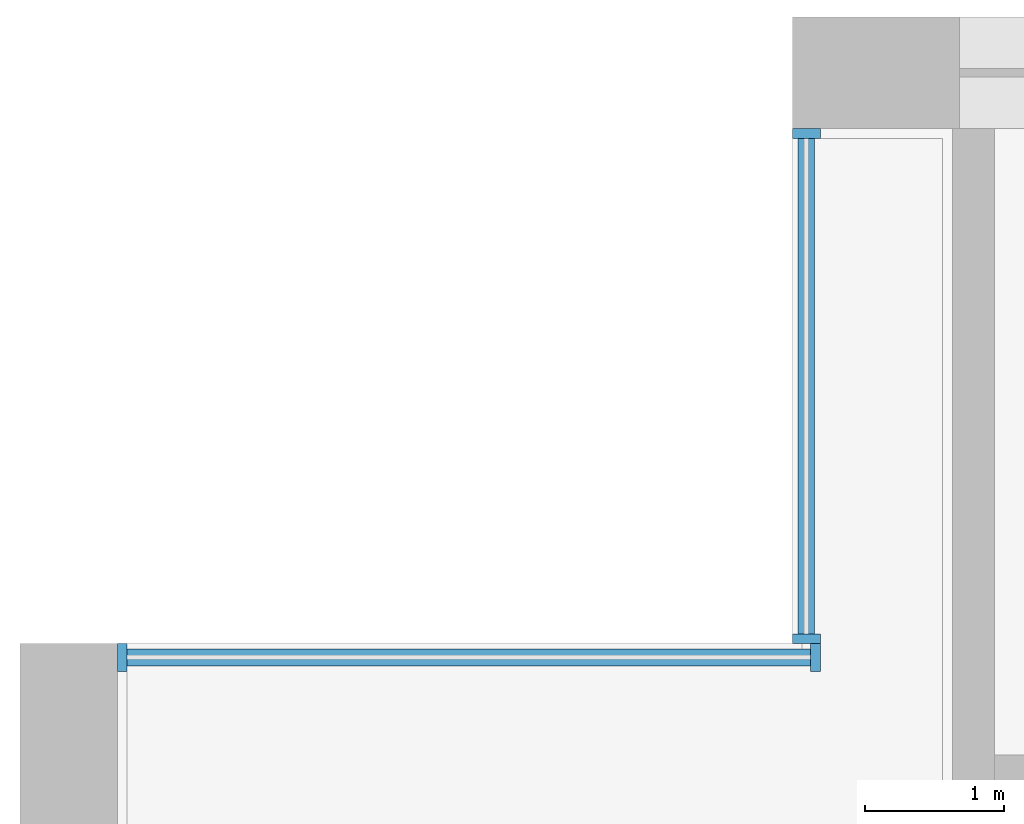
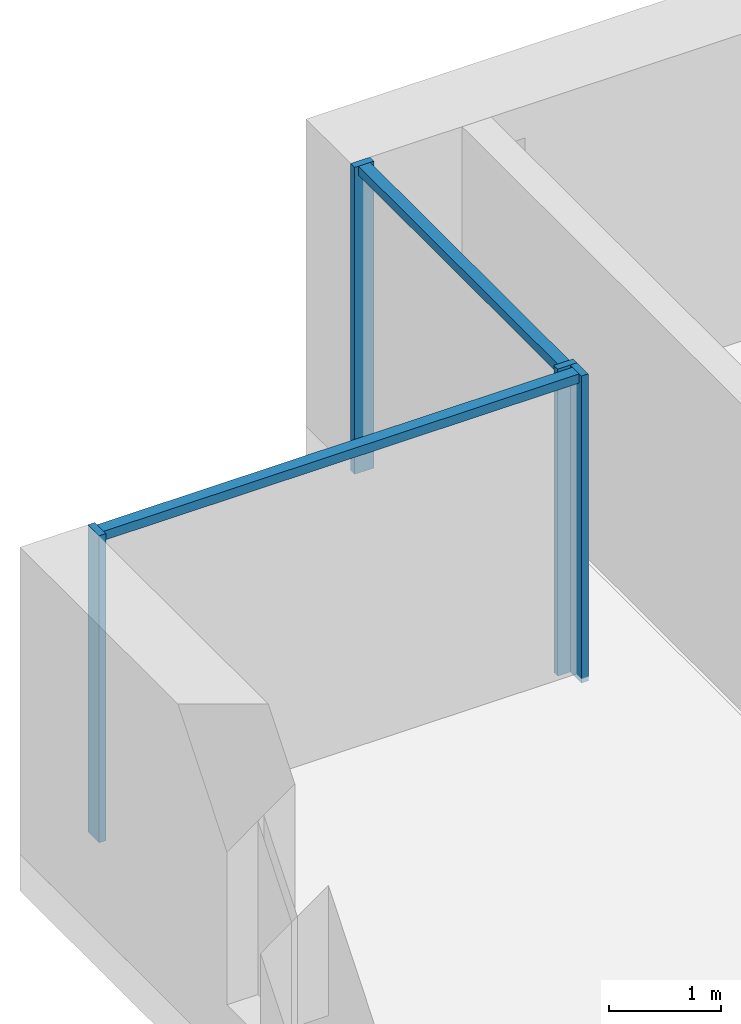
# One storey, part 4 of 16: 6 members, 2 elements without a shape of their own.
"""IFC4 building model written with IfcOpenShell, lengths in metres."""

from ifc_helpers import new_model, si_unit, direction, frame, origin, origin_2d, place, context, subcontext, project, spatial, rectangle, extrude, material, material_profile, profile_set, type_object, element, aggregate, save


model = new_model("IFC4")

# Units and contexts
model_context = context("Model", 3, precision=1e-05, world=origin(), true_north=direction((0.0, 1.0)))
body_context = subcontext(model_context, "Body", "Model", "MODEL_VIEW")
ifc_project = project(units=[si_unit("LENGTHUNIT", "METRE"), si_unit("AREAUNIT", "SQUARE_METRE"), si_unit("VOLUMEUNIT", "CUBIC_METRE"), si_unit("PLANEANGLEUNIT", "RADIAN"), si_unit("MASSUNIT", "GRAM", prefix="KILO")], contexts=[model_context])

# Site, building, storey
site_placement = place(None, origin())
site = spatial("IfcSite", under=ifc_project, at=site_placement, CompositionType="ELEMENT")
building_placement = place(site_placement, origin())
building = spatial("IfcBuilding", under=site, at=building_placement, Name="Calvaro Tower", CompositionType="ELEMENT")
storey_placement = place(building_placement, frame((0.0, 0.0, 140.0)))
storey = spatial("IfcBuildingStorey", under=building, at=storey_placement, Name="L35", CompositionType="ELEMENT", Elevation=140.0)

# Curtain wall, members
ifc_material_1 = material(Name="Anodised aluminium", Category="aluminium")
curtain_wall_type = type_object("IfcCurtainWallType", Name="Office curtain wall, middle zone", PredefinedType="NOTDEFINED", material=ifc_material_1)
curtain_wall_1_placement = place(storey_placement, origin())
curtain_wall_1 = element("IfcCurtainWall", 1, at=curtain_wall_1_placement, inside=storey, type_object=curtain_wall_type, Name="CW2 corner curtain wall", PredefinedType="NOTDEFINED")
ifc_material_2 = material(Name="Anodised aluminium", Category="aluminium")
ifc_material_profile_1 = material_profile(ifc_material_2, rectangle(XDim=0.199951171875, YDim=0.070068359375, at=origin_2d()), Name="Mullion S2 70 x 200")
ifc_profile_set_1 = profile_set([ifc_material_profile_1], Name="Anodised aluminium")
member_type_1 = type_object("IfcMemberType", Name="Mullion S2 70 x 200", PredefinedType="MULLION", material=ifc_profile_set_1)
member_1_placement = place(storey_placement, frame((5.64990234375, 41.534912109375, 0.0), z_axis=(0.0, 0.0, 1.0), x_axis=(-1.0, 0.0, 0.0)))
member_1 = element("IfcMember", 2, at=member_1_placement, type_object=member_type_1, Name="CW2 mullion 1", PredefinedType="MULLION", context=body_context, shape_type="SweptSolid", body=[
    extrude(rectangle(XDim=0.199951171875, YDim=0.070068359375, at=origin_2d()), origin(), (0.0, 0.0, 1.0), 3.35009765625),
])
member_2_placement = place(storey_placement, frame((5.64990234375, 45.1650390625, 0.0), z_axis=(0.0, 0.0, 1.0), x_axis=(-1.0, 0.0, 0.0)))
member_2 = element("IfcMember", 3, at=member_2_placement, type_object=member_type_1, Name="CW2 mullion 2", PredefinedType="MULLION", context=body_context, shape_type="SweptSolid", body=[
    extrude(rectangle(XDim=0.199951171875, YDim=0.070068359375, at=origin_2d()), origin(), (0.0, 0.0, 1.0), 3.35009765625),
])

curtain_wall_2_placement = place(storey_placement, origin())
curtain_wall_2 = element("IfcCurtainWall", 4, at=curtain_wall_2_placement, inside=storey, type_object=curtain_wall_type, Name="CW2 corner curtain wall", PredefinedType="NOTDEFINED")
member_3_placement = place(storey_placement, frame((0.735107421875, 41.39990234375, 0.0), z_axis=(0.0, 0.0, 1.0), x_axis=(0.0, 1.0, 0.0)))
member_3 = element("IfcMember", 5, at=member_3_placement, type_object=member_type_1, Name="CW2 mullion 1", PredefinedType="MULLION", context=body_context, shape_type="SweptSolid", body=[
    extrude(rectangle(XDim=0.199951171875, YDim=0.070068359375, at=origin_2d()), origin(), (0.0, 0.0, 1.0), 3.35009765625),
])
member_4_placement = place(storey_placement, frame((5.715087890625, 41.39990234375, 0.0), z_axis=(0.0, 0.0, 1.0), x_axis=(0.0, 1.0, 0.0)))
member_4 = element("IfcMember", 6, at=member_4_placement, type_object=member_type_1, Name="CW2 mullion 2", PredefinedType="MULLION", context=body_context, shape_type="SweptSolid", body=[
    extrude(rectangle(XDim=0.199951171875, YDim=0.070068359375, at=origin_2d()), origin(), (0.0, 0.0, 1.0), 3.35009765625),
])

# Member
ifc_material_3 = material(Name="Anodised aluminium", Category="aluminium")
ifc_material_profile_2 = material_profile(ifc_material_3, rectangle(XDim=0.1201171875, YDim=0.10009765625, at=origin_2d()), Name="Transom S2 100 x 120")
ifc_profile_set_2 = profile_set([ifc_material_profile_2], Name="Anodised aluminium")
member_type_2 = type_object("IfcMemberType", Name="Transom S2 100 x 120", PredefinedType="USERDEFINED", material=ifc_profile_set_2)
member_5_placement = place(storey_placement, frame((5.64990234375, 41.570068359375, 3.300048828125), z_axis=(0.0, 1.0, 0.0), x_axis=(-1.0, 0.0, 0.0)))
member_5 = element("IfcMember", 7, at=member_5_placement, type_object=member_type_2, Name="CW2 transom 1.1", ObjectType="TRANSOM", PredefinedType="USERDEFINED", context=body_context, shape_type="SweptSolid", body=[
    extrude(rectangle(XDim=0.1201171875, YDim=0.10009765625, at=origin_2d()), origin(), (0.0, 0.0, 1.0), 3.559814453125),
])

aggregate(curtain_wall_1, [member_1, member_2, member_5])

member_6_placement = place(storey_placement, frame((0.77001953125, 41.39990234375, 3.300048828125), z_axis=(1.0, 0.0, 0.0), x_axis=(0.0, 1.0, 0.0)))
member_6 = element("IfcMember", 8, at=member_6_placement, type_object=member_type_2, Name="CW2 transom 1.1", ObjectType="TRANSOM", PredefinedType="USERDEFINED", context=body_context, shape_type="SweptSolid", body=[
    extrude(rectangle(XDim=0.1201171875, YDim=0.10009765625, at=origin_2d()), origin(), (0.0, 0.0, 1.0), 4.909912109375),
])

aggregate(curtain_wall_2, [member_3, member_4, member_6])

save(model, "model.ifc")
